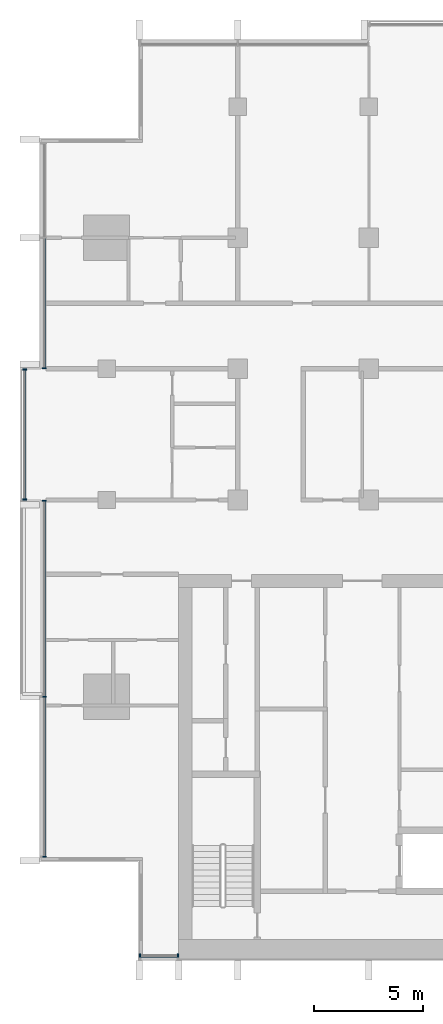
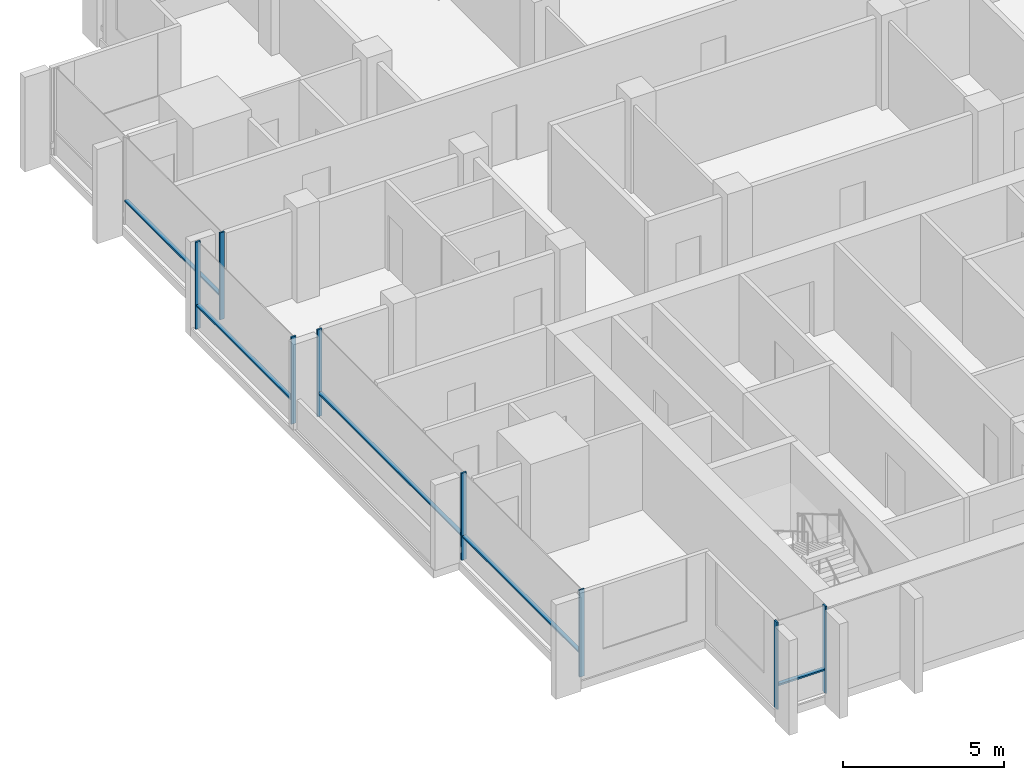
# One storey, part 2 of 16: 13 members, 4 elements without a shape of their own.
"""IFC4 building model written with IfcOpenShell, lengths in metres."""

from ifc_helpers import new_model, si_unit, direction, frame, origin, origin_2d, place, context, subcontext, project, spatial, rectangle, extrude, material, material_profile, profile_set, type_object, element, aggregate, save


model = new_model("IFC4")

# Units and contexts
model_context = context("Model", 3, precision=1e-05, world=origin(), true_north=direction((0.0, 1.0)))
body_context = subcontext(model_context, "Body", "Model", "MODEL_VIEW")
ifc_project = project(units=[si_unit("LENGTHUNIT", "METRE"), si_unit("AREAUNIT", "SQUARE_METRE"), si_unit("VOLUMEUNIT", "CUBIC_METRE"), si_unit("PLANEANGLEUNIT", "RADIAN"), si_unit("MASSUNIT", "GRAM", prefix="KILO")], contexts=[model_context])

# Site, building, storey
site_placement = place(None, origin())
site = spatial("IfcSite", under=ifc_project, at=site_placement, CompositionType="ELEMENT")
building_placement = place(site_placement, origin())
building = spatial("IfcBuilding", under=site, at=building_placement, Name="Finial Court Residences", CompositionType="ELEMENT")
storey_placement = place(building_placement, frame((0.0, 0.0, 212.300048828125)))
storey = spatial("IfcBuildingStorey", under=building, at=storey_placement, Name="L53", CompositionType="ELEMENT", Elevation=212.300048828125)

# Curtain wall, members
ifc_material = material(Name="Bronze anodised aluminium", Category="aluminium")
curtain_wall_type = type_object("IfcCurtainWallType", Name="Unitised curtain wall, upper zones", PredefinedType="NOTDEFINED", material=ifc_material)
curtain_wall_1_placement = place(storey_placement, origin())
curtain_wall_1 = element("IfcCurtainWall", 1, at=curtain_wall_1_placement, inside=storey, type_object=curtain_wall_type, Name="E-L53-CW-S7", PredefinedType="NOTDEFINED")
ifc_material_profile_1 = material_profile(ifc_material, rectangle(XDim=0.175048828125, YDim=0.06005859375, at=origin_2d()), Name="CW2 mullion 60 x 175")
ifc_profile_set_1 = profile_set([ifc_material_profile_1], Name="Bronze anodised aluminium")
member_type_1 = type_object("IfcMemberType", Name="CW2 mullion 60 x 175", PredefinedType="MULLION", material=ifc_profile_set_1)
member_1_placement = place(storey_placement, frame((-14.969970703125, -25.35009765625, 0.0), z_axis=(0.0, 0.0, 1.0), x_axis=(0.0, 1.0, 0.0)))
member_1 = element("IfcMember", 2, at=member_1_placement, type_object=member_type_1, Name="CW2 mullion 1", PredefinedType="MULLION", context=body_context, shape_type="SweptSolid", body=[
    extrude(rectangle(XDim=0.175048828125, YDim=0.06005859375, at=origin_2d()), origin(), (0.0, 0.0, 1.0), 3.300048828125),
])
member_2_placement = place(storey_placement, frame((-13.22998046875, -25.35009765625, 0.0), z_axis=(0.0, 0.0, 1.0), x_axis=(0.0, 1.0, 0.0)))
member_2 = element("IfcMember", 3, at=member_2_placement, type_object=member_type_1, Name="CW2 mullion 2", PredefinedType="MULLION", context=body_context, shape_type="SweptSolid", body=[
    extrude(rectangle(XDim=0.175048828125, YDim=0.06005859375, at=origin_2d()), origin(), (0.0, 0.0, 1.0), 3.300048828125),
])

curtain_wall_2_placement = place(storey_placement, origin())
curtain_wall_2 = element("IfcCurtainWall", 4, at=curtain_wall_2_placement, inside=storey, type_object=curtain_wall_type, Name="E-L53-CW-W9", PredefinedType="NOTDEFINED")
member_3_placement = place(storey_placement, frame((-19.35009765625, -20.820068359375, 0.0), z_axis=(0.0, 0.0, 1.0), x_axis=(-1.0, 0.0, 0.0)))
member_3 = element("IfcMember", 5, at=member_3_placement, type_object=member_type_1, Name="CW2 mullion 1", PredefinedType="MULLION", context=body_context, shape_type="SweptSolid", body=[
    extrude(rectangle(XDim=0.175048828125, YDim=0.06005859375, at=origin_2d()), origin(), (0.0, 0.0, 1.0), 3.300048828125),
])
member_4_placement = place(storey_placement, frame((-19.35009765625, -13.5, 0.0), z_axis=(0.0, 0.0, 1.0), x_axis=(-1.0, 0.0, 0.0)))
member_4 = element("IfcMember", 6, at=member_4_placement, type_object=member_type_1, Name="CW2 mullion 2", PredefinedType="MULLION", context=body_context, shape_type="SweptSolid", body=[
    extrude(rectangle(XDim=0.175048828125, YDim=0.06005859375, at=origin_2d()), origin(), (0.0, 0.0, 1.0), 3.300048828125),
])
member_5_placement = place(storey_placement, frame((-19.35009765625, -4.530029296875, 0.0), z_axis=(0.0, 0.0, 1.0), x_axis=(-1.0, 0.0, 0.0)))
member_5 = element("IfcMember", 7, at=member_5_placement, type_object=member_type_1, Name="CW2 mullion 3", PredefinedType="MULLION", context=body_context, shape_type="SweptSolid", body=[
    extrude(rectangle(XDim=0.175048828125, YDim=0.06005859375, at=origin_2d()), origin(), (0.0, 0.0, 1.0), 3.300048828125),
])

curtain_wall_3_placement = place(storey_placement, origin())
curtain_wall_3 = element("IfcCurtainWall", 8, at=curtain_wall_3_placement, inside=storey, type_object=curtain_wall_type, Name="E-L53-CW-W10", PredefinedType="NOTDEFINED")
member_6_placement = place(storey_placement, frame((-20.25, -4.469970703125, 0.0), z_axis=(0.0, 0.0, 1.0), x_axis=(-1.0, 0.0, 0.0)))
member_6 = element("IfcMember", 9, at=member_6_placement, type_object=member_type_1, Name="CW2 mullion 1", PredefinedType="MULLION", context=body_context, shape_type="SweptSolid", body=[
    extrude(rectangle(XDim=0.175048828125, YDim=0.06005859375, at=origin_2d()), origin(), (0.0, 0.0, 1.0), 3.300048828125),
])
member_7_placement = place(storey_placement, frame((-20.25, 1.469970703125, 0.0), z_axis=(0.0, 0.0, 1.0), x_axis=(-1.0, 0.0, 0.0)))
member_7 = element("IfcMember", 10, at=member_7_placement, type_object=member_type_1, Name="CW2 mullion 2", PredefinedType="MULLION", context=body_context, shape_type="SweptSolid", body=[
    extrude(rectangle(XDim=0.175048828125, YDim=0.06005859375, at=origin_2d()), origin(), (0.0, 0.0, 1.0), 3.300048828125),
])

# Curtain wall, member
curtain_wall_4_placement = place(storey_placement, origin())
curtain_wall_4 = element("IfcCurtainWall", 11, at=curtain_wall_4_placement, inside=storey, type_object=curtain_wall_type, Name="E-L53-CW-W11", PredefinedType="NOTDEFINED")
member_8_placement = place(storey_placement, frame((-19.35009765625, 1.530029296875, 0.0), z_axis=(0.0, 0.0, 1.0), x_axis=(-1.0, 0.0, 0.0)))
member_8 = element("IfcMember", 12, at=member_8_placement, type_object=member_type_1, Name="CW2 mullion 1", PredefinedType="MULLION", context=body_context, shape_type="SweptSolid", body=[
    extrude(rectangle(XDim=0.175048828125, YDim=0.06005859375, at=origin_2d()), origin(), (0.0, 0.0, 1.0), 3.300048828125),
])

# Member
ifc_material_profile_2 = material_profile(ifc_material, rectangle(XDim=0.139892578125, YDim=0.06005859375, at=origin_2d()), Name="CW2 transom 60 x 140")
ifc_profile_set_2 = profile_set([ifc_material_profile_2], Name="Bronze anodised aluminium")
member_type_2 = type_object("IfcMemberType", Name="CW2 transom 60 x 140", PredefinedType="USERDEFINED", material=ifc_profile_set_2)
member_9_placement = place(storey_placement, frame((-14.93994140625, -25.35009765625, 0.89990234375), z_axis=(1.0, 0.0, 0.0), x_axis=(0.0, 1.0, 0.0)))
member_9 = element("IfcMember", 13, at=member_9_placement, type_object=member_type_2, Name="CW2 transom 1.1", ObjectType="TRANSOM", PredefinedType="USERDEFINED", context=body_context, shape_type="SweptSolid", body=[
    extrude(rectangle(XDim=0.139892578125, YDim=0.06005859375, at=origin_2d()), origin(), (0.0, 0.0, 1.0), 1.679931640625),
])

aggregate(curtain_wall_1, [member_1, member_2, member_9])

member_10_placement = place(storey_placement, frame((-19.35009765625, -20.7900390625, 0.89990234375), z_axis=(0.0, 1.0, 0.0), x_axis=(-1.0, 0.0, 0.0)))
member_10 = element("IfcMember", 14, at=member_10_placement, type_object=member_type_2, Name="CW2 transom 1.1", ObjectType="TRANSOM", PredefinedType="USERDEFINED", context=body_context, shape_type="SweptSolid", body=[
    extrude(rectangle(XDim=0.139892578125, YDim=0.06005859375, at=origin_2d()), origin(), (0.0, 0.0, 1.0), 7.260009765625),
])

member_11_placement = place(storey_placement, frame((-19.35009765625, -13.469970703125, 0.89990234375), z_axis=(0.0, 1.0, 0.0), x_axis=(-1.0, 0.0, 0.0)))
member_11 = element("IfcMember", 15, at=member_11_placement, type_object=member_type_2, Name="CW2 transom 2.1", ObjectType="TRANSOM", PredefinedType="USERDEFINED", context=body_context, shape_type="SweptSolid", body=[
    extrude(rectangle(XDim=0.139892578125, YDim=0.06005859375, at=origin_2d()), origin(), (0.0, 0.0, 1.0), 8.909912109375),
])

aggregate(curtain_wall_2, [member_3, member_4, member_5, member_10, member_11])

member_12_placement = place(storey_placement, frame((-20.25, -4.43994140625, 0.89990234375), z_axis=(0.0, 1.0, 0.0), x_axis=(-1.0, 0.0, 0.0)))
member_12 = element("IfcMember", 16, at=member_12_placement, type_object=member_type_2, Name="CW2 transom 1.1", ObjectType="TRANSOM", PredefinedType="USERDEFINED", context=body_context, shape_type="SweptSolid", body=[
    extrude(rectangle(XDim=0.139892578125, YDim=0.06005859375, at=origin_2d()), origin(), (0.0, 0.0, 1.0), 5.8798828125),
])

aggregate(curtain_wall_3, [member_6, member_7, member_12])

member_13_placement = place(storey_placement, frame((-19.35009765625, 1.56005859375, 0.89990234375), z_axis=(0.0, 1.0, 0.0), x_axis=(-1.0, 0.0, 0.0)))
member_13 = element("IfcMember", 17, at=member_13_placement, type_object=member_type_2, Name="CW2 transom 1.1", ObjectType="TRANSOM", PredefinedType="USERDEFINED", context=body_context, shape_type="SweptSolid", body=[
    extrude(rectangle(XDim=0.139892578125, YDim=0.06005859375, at=origin_2d()), origin(), (0.0, 0.0, 1.0), 5.909912109375),
])

aggregate(curtain_wall_4, [member_8, member_13])

save(model, "model.ifc")
